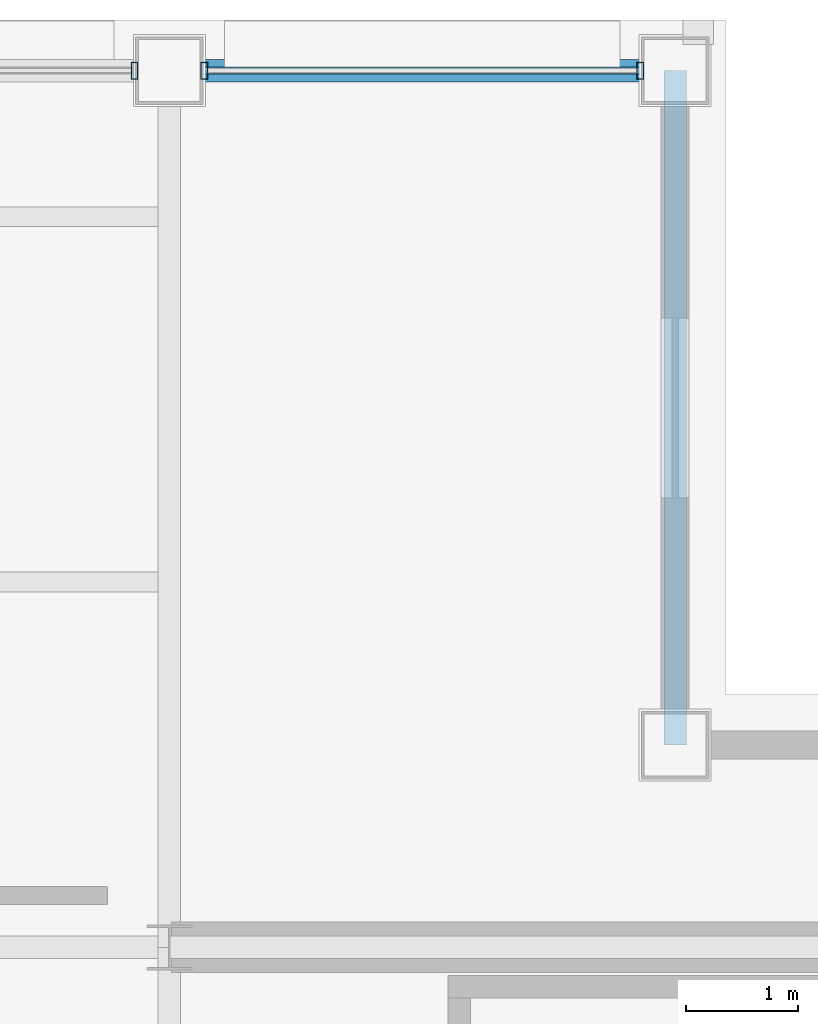
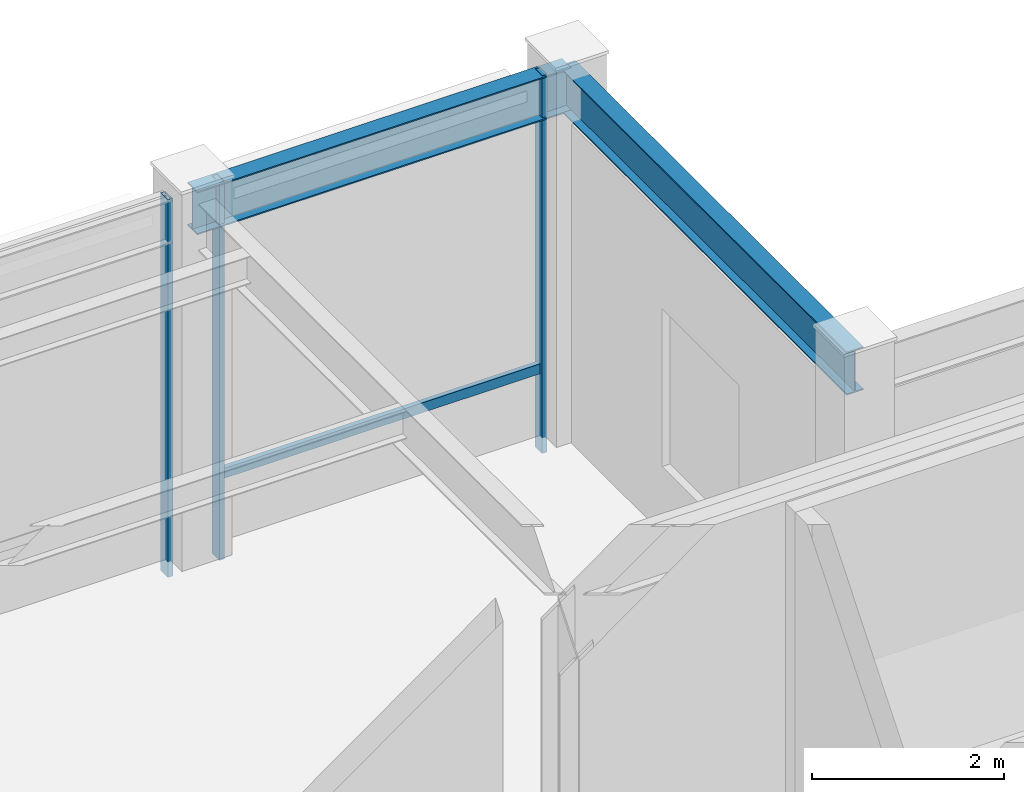
# One storey, part 15 of 21: 4 members, 2 beams, 2 elements without a shape of their own.
"""IFC4 building model written with IfcOpenShell, lengths in metres."""

import ifcopenshell
import ifcopenshell.guid

model = None  # the IFC model being written
_history = None  # IfcOwnerHistory: only IFC2X3 demands one
_inside = {}  # id of a spatial element -> (the spatial element, [elements in it])
_under = {}  # id of a project, library or spatial element -> (it, [spatial elements below it])
_declared = {}  # id of a project -> (the project, [libraries it declares])
_typed = {}  # id of a type object -> (the type object, [elements of that type])
_made_of = {}  # id of a material, layer set ... -> (it, [elements and type objects made of it])


def new_model(schema):
    """Start an empty IFC model of exactly this schema.

    Asked for "IFC4X3", IfcOpenShell would pick the latest addendum, in which some entities
    have other attributes; the version numbers below select the first issue.
    IFC2X3 requires an IfcOwnerHistory on every rooted entity: one is made here for all.
    """
    global model, _history
    if schema == "IFC4X3":
        model = ifcopenshell.file(schema_version=(4, 3, 0, 0))
    else:
        model = ifcopenshell.file(schema=schema)
    _inside.clear()
    _under.clear()
    _declared.clear()
    _typed.clear()
    _made_of.clear()
    _history = None
    if model.schema == "IFC2X3":
        org = make("IfcOrganization", Name="unknown")
        user = make(
            "IfcPersonAndOrganization",
            ThePerson=make("IfcPerson", FamilyName="unknown"),
            TheOrganization=org,
        )
        app = make(
            "IfcApplication",
            ApplicationDeveloper=org,
            Version="unknown",
            ApplicationFullName="unknown",
            ApplicationIdentifier="unknown",
        )
        _history = make(
            "IfcOwnerHistory",
            OwningUser=user,
            OwningApplication=app,
            ChangeAction="ADDED",
            CreationDate=0,
        )
    return model


def make(cls, **values):
    """One entity of the class cls with the attributes given. An attribute that is None is left unset."""
    return model.create_entity(
        cls, **{name: value for name, value in values.items() if value is not None}
    )


def rooted(cls, **values):
    """An entity with a GlobalId (a new one), such as an element, a storey or a relation."""
    return make(cls, GlobalId=ifcopenshell.guid.new(), OwnerHistory=_history, **values)


def si_unit(unit_type, name, prefix=None):
    """IfcSIUnit, for example si_unit("LENGTHUNIT", "METRE", prefix="MILLI")."""
    return make("IfcSIUnit", UnitType=unit_type, Prefix=prefix, Name=name)


def assignment(units):
    """IfcUnitAssignment: the units of a project."""
    return None if units is None else make("IfcUnitAssignment", Units=units)


def point(xyz):
    """IfcCartesianPoint."""
    return None if xyz is None else make("IfcCartesianPoint", Coordinates=xyz)


def direction(xyz):
    """IfcDirection."""
    return None if xyz is None else make("IfcDirection", DirectionRatios=xyz)


def frame(location, z_axis=None, x_axis=None):
    """IfcAxis2Placement3D, a coordinate frame: its origin and axes. An axis left out is left unset."""
    return make(
        "IfcAxis2Placement3D",
        Location=point(location),
        Axis=direction(z_axis),
        RefDirection=direction(x_axis),
    )


def frame_2d(location, x_axis=None):
    """IfcAxis2Placement2D, a coordinate frame in the plane: its origin and x axis."""
    return make(
        "IfcAxis2Placement2D", Location=point(location), RefDirection=direction(x_axis)
    )


def origin():
    """The frame at (0, 0, 0) with its axes left unset."""
    return frame((0.0, 0.0, 0.0))


def origin_2d():
    """The frame at (0, 0) in the plane with its x axis left unset."""
    return frame_2d((0.0, 0.0))


def place(relative_to, where):
    """IfcLocalPlacement: puts the frame where relative to a parent placement (None: the world)."""
    return make(
        "IfcLocalPlacement", PlacementRelTo=relative_to, RelativePlacement=where
    )


def context(
    kind, dimensions, precision=None, world=None, true_north=None, identifier=None
):
    """IfcGeometricRepresentationContext, for example the 3D "Model" context."""
    return make(
        "IfcGeometricRepresentationContext",
        ContextIdentifier=identifier,
        ContextType=kind,
        CoordinateSpaceDimension=dimensions,
        Precision=precision,
        WorldCoordinateSystem=world,
        TrueNorth=true_north,
    )


def subcontext(parent, identifier, kind, view, scale=None):
    """IfcGeometricRepresentationSubContext, for example "Body" below "Model"."""
    return make(
        "IfcGeometricRepresentationSubContext",
        ContextIdentifier=identifier,
        ContextType=kind,
        ParentContext=parent,
        TargetScale=scale,
        TargetView=view,
    )


def project(units=None, contexts=None):
    """IfcProject with its units and contexts."""
    return rooted(
        "IfcProject",
        Name="project",
        RepresentationContexts=contexts,
        UnitsInContext=assignment(units),
    )


def spatial(cls, under=None, at=None, **own):
    """A site, building, storey or space (cls), placed at a placement, below another one or the project."""
    s = rooted(cls, ObjectPlacement=at, **own)
    if under is not None:
        _under.setdefault(under.id(), (under, []))[1].append(s)
    return s


def profile(cls, at=None, kind="AREA", **sizes):
    """A parametric profile (cls). Its sizes go by their IFC names, for example OverallWidth=200.0."""
    return make(cls, ProfileType=kind, Position=at, **sizes)


def hollow_rectangle(**sizes):
    """IfcRectangleHollowProfileDef."""
    return profile("IfcRectangleHollowProfileDef", **sizes)


def i_section(**sizes):
    """IfcIShapeProfileDef."""
    return profile("IfcIShapeProfileDef", **sizes)


def extrude(swept, where, along, depth):
    """IfcExtrudedAreaSolid: the profile swept, set in the frame where, extruded along a direction by depth."""
    return make(
        "IfcExtrudedAreaSolid",
        SweptArea=swept,
        Position=where,
        ExtrudedDirection=direction(along),
        Depth=depth,
    )


def shape(context_of_items, identifier, shape_type, items):
    """IfcShapeRepresentation: the items that make up one representation, for example the "Body"."""
    return make(
        "IfcShapeRepresentation",
        ContextOfItems=context_of_items,
        RepresentationIdentifier=identifier,
        RepresentationType=shape_type,
        Items=items,
    )


def material(Name=None, Category=None):
    """IfcMaterial."""
    return make("IfcMaterial", Name=Name, Category=Category)


def layer(
    of_material, thickness, ventilated=None, Name=None, Category=None, Priority=None
):
    """IfcMaterialLayer: one layer of a wall or slab, of a material (None: an air gap)."""
    return make(
        "IfcMaterialLayer",
        Material=of_material,
        LayerThickness=thickness,
        IsVentilated=ventilated,
        Name=Name,
        Category=Category,
        Priority=Priority,
    )


def layer_set(layers, Name=None):
    """IfcMaterialLayerSet."""
    return make("IfcMaterialLayerSet", MaterialLayers=layers, LayerSetName=Name)


def material_profile(
    of_material, cross_section, Name=None, Category=None, Priority=None
):
    """IfcMaterialProfile: a cross section and its material."""
    return make(
        "IfcMaterialProfile",
        Name=Name,
        Material=of_material,
        Profile=cross_section,
        Priority=Priority,
        Category=Category,
    )


def profile_set(profiles, Name=None, composite=None):
    """IfcMaterialProfileSet."""
    return make(
        "IfcMaterialProfileSet",
        Name=Name,
        MaterialProfiles=profiles,
        CompositeProfile=composite,
    )


def made_of(thing, what):
    """Note that an element or type object is made of a material, layer set ...; save() writes the relation."""
    if what is not None:
        _made_of.setdefault(what.id(), (what, []))[1].append(thing)
    return thing


def type_object(cls, material=None, **own):
    """A type object (cls), such as IfcWallType, which elements share."""
    return made_of(rooted(cls, **own), material)


def element(
    cls,
    number,
    at=None,
    inside=None,
    cuts=None,
    type_object=None,
    material=None,
    context=None,
    identifier="Body",
    shape_type=None,
    held_by="IfcProductDefinitionShape",
    body=None,
    shapes=None,
    **own,
):
    """One element of the class cls, such as IfcWall. Its Tag is "e" and its number.

    at: its placement. inside: the storey or other place that contains it. cuts: it is an
    opening in that element (IfcRelVoidsElement). A single representation is given by context,
    identifier, shape_type and body (its items); several are given by shapes. held_by: the class
    of the entity that holds the representations. save() writes the other relations.
    """
    e = rooted(cls, Tag="e%d" % number, ObjectPlacement=at, **own)
    if body is not None:
        shapes = [shape(context, identifier, shape_type, body)]
    if shapes is not None:
        e.Representation = make(held_by, Representations=shapes)
    if inside is not None:
        _inside.setdefault(inside.id(), (inside, []))[1].append(e)
    if cuts is not None:
        rooted(
            "IfcRelVoidsElement", RelatingBuildingElement=cuts, RelatedOpeningElement=e
        )
    if type_object is not None:
        _typed.setdefault(type_object.id(), (type_object, []))[1].append(e)
    return made_of(e, material)


def aggregate(whole, parts):
    """IfcRelAggregates: a whole, such as a stair, and the parts it consists of."""
    return rooted("IfcRelAggregates", RelatingObject=whole, RelatedObjects=parts)


def save(model, path):
    """Write the relations noted so far, then the file.

    IfcRelAggregates (storeys below a building ...), IfcRelContainedInSpatialStructure (elements
    in a storey), IfcRelDefinesByType, IfcRelAssociatesMaterial and IfcRelDeclares: one each for
    every whole, place, type object, material and project.
    """
    for whole, parts in _under.values():
        aggregate(whole, parts)
    for where, things in _inside.values():
        rooted(
            "IfcRelContainedInSpatialStructure",
            RelatedElements=things,
            RelatingStructure=where,
        )
    for kind, things in _typed.values():
        rooted("IfcRelDefinesByType", RelatedObjects=things, RelatingType=kind)
    for what, things in _made_of.values():
        rooted("IfcRelAssociatesMaterial", RelatedObjects=things, RelatingMaterial=what)
    for by, libraries in _declared.values():
        rooted("IfcRelDeclares", RelatingContext=by, RelatedDefinitions=libraries)
    model.write(path)


model = new_model("IFC4")

# Units and contexts
model_context = context("Model", 3, precision=1e-05, world=origin(), true_north=direction((0.0, 1.0)))
body_context = subcontext(model_context, "Body", "Model", "MODEL_VIEW")
ifc_project = project(units=[si_unit("LENGTHUNIT", "METRE"), si_unit("AREAUNIT", "SQUARE_METRE"), si_unit("VOLUMEUNIT", "CUBIC_METRE"), si_unit("PLANEANGLEUNIT", "RADIAN"), si_unit("MASSUNIT", "GRAM", prefix="KILO")], contexts=[model_context])

# Site, building, storey
site_placement = place(None, origin())
site = spatial("IfcSite", under=ifc_project, at=site_placement, CompositionType="ELEMENT")
building_placement = place(site_placement, origin())
building = spatial("IfcBuilding", under=site, at=building_placement, Name="Brelmoor Portico Tower", CompositionType="ELEMENT")
storey_placement = place(building_placement, frame((0.0, 0.0, 284.39990234375)))
storey = spatial("IfcBuildingStorey", under=building, at=storey_placement, Name="L75", CompositionType="ELEMENT", Elevation=284.39990234375)

# Beams
ifc_material_1 = material(Name="Steel Q355B", Category="steel")
ifc_material_profile_1 = material_profile(ifc_material_1, i_section(OverallWidth=0.199951171875, OverallDepth=0.550048828125, WebThickness=0.010009765625, FlangeThickness=0.01611328125, at=origin_2d()), Name="HN 550x200x10x16")
ifc_profile_set_1 = profile_set([ifc_material_profile_1], Name="Steel Q355B")
beam_type = type_object("IfcBeamType", Name="BM-SP-550", PredefinedType="SPANDREL", material=ifc_profile_set_1)
beam_1_placement = place(storey_placement, frame((8.050048828125, 17.550048828125, 4.3251953125), z_axis=(1.0, 0.0, 0.0), x_axis=(0.0, 1.0, 0.0)))
element("IfcBeam", 1, at=beam_1_placement, inside=storey, type_object=beam_type, Name="L75 Perimeter Spandrel Beam SP-10", PredefinedType="SPANDREL", context=body_context, shape_type="SweptSolid", body=[
    extrude(i_section(OverallWidth=0.199951171875, OverallDepth=0.550048828125, WebThickness=0.010009765625, FlangeThickness=0.01611328125, at=origin_2d()), origin(), (0.0, 0.0, 1.0), 4.5),
])
beam_2_placement = place(storey_placement, frame((12.550048828125, 11.550048828125, 4.3251953125), z_axis=(0.0, 1.0, 0.0), x_axis=(-1.0, 0.0, 0.0)))
element("IfcBeam", 2, at=beam_2_placement, inside=storey, type_object=beam_type, Name="L75 Perimeter Spandrel Beam SP-17", PredefinedType="SPANDREL", context=body_context, shape_type="SweptSolid", body=[
    extrude(i_section(OverallWidth=0.199951171875, OverallDepth=0.550048828125, WebThickness=0.010009765625, FlangeThickness=0.01611328125, at=origin_2d()), origin(), (0.0, 0.0, 1.0), 6.0),
])

# Curtain wall, member
ifc_material_2 = material(Name="Anodised Aluminium Alloy 6063-T6", Category="aluminium")
ifc_layer = layer(ifc_material_2, 0.179931640625)
ifc_layer_set = layer_set([ifc_layer], Name="Anodised Aluminium Alloy 6063-T6")
curtain_wall_type = type_object("IfcCurtainWallType", Name="CW-TOWER-Z4", PredefinedType="NOTDEFINED", material=ifc_layer_set)
curtain_wall_1_placement = place(storey_placement, origin())
curtain_wall_1 = element("IfcCurtainWall", 3, at=curtain_wall_1_placement, inside=storey, type_object=curtain_wall_type, Name="L75 Curtain Wall CW-L75-02-2", PredefinedType="NOTDEFINED")
ifc_material_profile_2 = material_profile(ifc_material_2, hollow_rectangle(XDim=0.06005859375, YDim=0.14990234375, WallThickness=0.00390625, at=origin_2d()), Name="ALU MULLION 60x150")
ifc_profile_set_2 = profile_set([ifc_material_profile_2], Name="Anodised Aluminium Alloy 6063-T6")
member_type_1 = type_object("IfcMemberType", Name="MB-CW-MULL-150", PredefinedType="MULLION", material=ifc_profile_set_2)
member_1_placement = place(storey_placement, frame((7.739990234375, 17.550048828125, -0.199951171875), z_axis=(0.0, 0.0, 1.0), x_axis=(1.0, 0.0, 0.0)))
member_1 = element("IfcMember", 4, at=member_1_placement, type_object=member_type_1, Name="CW-L75-02-2 Mullion 01", PredefinedType="MULLION", context=body_context, shape_type="SweptSolid", body=[
    extrude(hollow_rectangle(XDim=0.06005859375, YDim=0.14990234375, WallThickness=0.00390625, at=origin_2d()), origin(), (0.0, 0.0, 1.0), 4.800048828125),
])
aggregate(curtain_wall_1, [member_1])

# Curtain wall, members
curtain_wall_2_placement = place(storey_placement, origin())
curtain_wall_2 = element("IfcCurtainWall", 5, at=curtain_wall_2_placement, inside=storey, type_object=curtain_wall_type, Name="L75 Curtain Wall CW-L75-02-3", PredefinedType="NOTDEFINED")
member_2_placement = place(storey_placement, frame((8.360107421875, 17.550048828125, -0.199951171875), z_axis=(0.0, 0.0, 1.0), x_axis=(1.0, 0.0, 0.0)))
member_2 = element("IfcMember", 6, at=member_2_placement, type_object=member_type_1, Name="CW-L75-02-3 Mullion 00", PredefinedType="MULLION", context=body_context, shape_type="SweptSolid", body=[
    extrude(hollow_rectangle(XDim=0.06005859375, YDim=0.14990234375, WallThickness=0.00390625, at=origin_2d()), origin(), (0.0, 0.0, 1.0), 4.800048828125),
])
member_3_placement = place(storey_placement, frame((12.239990234375, 17.550048828125, -0.199951171875), z_axis=(0.0, 0.0, 1.0), x_axis=(1.0, 0.0, 0.0)))
member_3 = element("IfcMember", 7, at=member_3_placement, type_object=member_type_1, Name="CW-L75-02-3 Mullion 01", PredefinedType="MULLION", context=body_context, shape_type="SweptSolid", body=[
    extrude(hollow_rectangle(XDim=0.06005859375, YDim=0.14990234375, WallThickness=0.00390625, at=origin_2d()), origin(), (0.0, 0.0, 1.0), 4.800048828125),
])
ifc_material_profile_3 = material_profile(ifc_material_2, hollow_rectangle(XDim=0.06005859375, YDim=0.125, WallThickness=0.00341796875, at=origin_2d()), Name="ALU TRANSOM 60x125")
ifc_profile_set_3 = profile_set([ifc_material_profile_3], Name="Anodised Aluminium Alloy 6063-T6")
member_type_2 = type_object("IfcMemberType", Name="MB-CW-TRAN-125", PredefinedType="USERDEFINED", material=ifc_profile_set_3)
member_4_placement = place(storey_placement, frame((8.360107421875, 17.550048828125, 0.85009765625), z_axis=(1.0, 0.0, 0.0), x_axis=(0.0, 1.0, 0.0)))
member_4 = element("IfcMember", 8, at=member_4_placement, type_object=member_type_2, Name="CW-L75-02-3 Transom 1-00", ObjectType="TRANSOM", PredefinedType="USERDEFINED", context=body_context, shape_type="SweptSolid", body=[
    extrude(hollow_rectangle(XDim=0.06005859375, YDim=0.125, WallThickness=0.00341796875, at=origin_2d()), origin(), (0.0, 0.0, 1.0), 3.8798828125),
])
aggregate(curtain_wall_2, [member_2, member_3, member_4])

save(model, "model.ifc")
